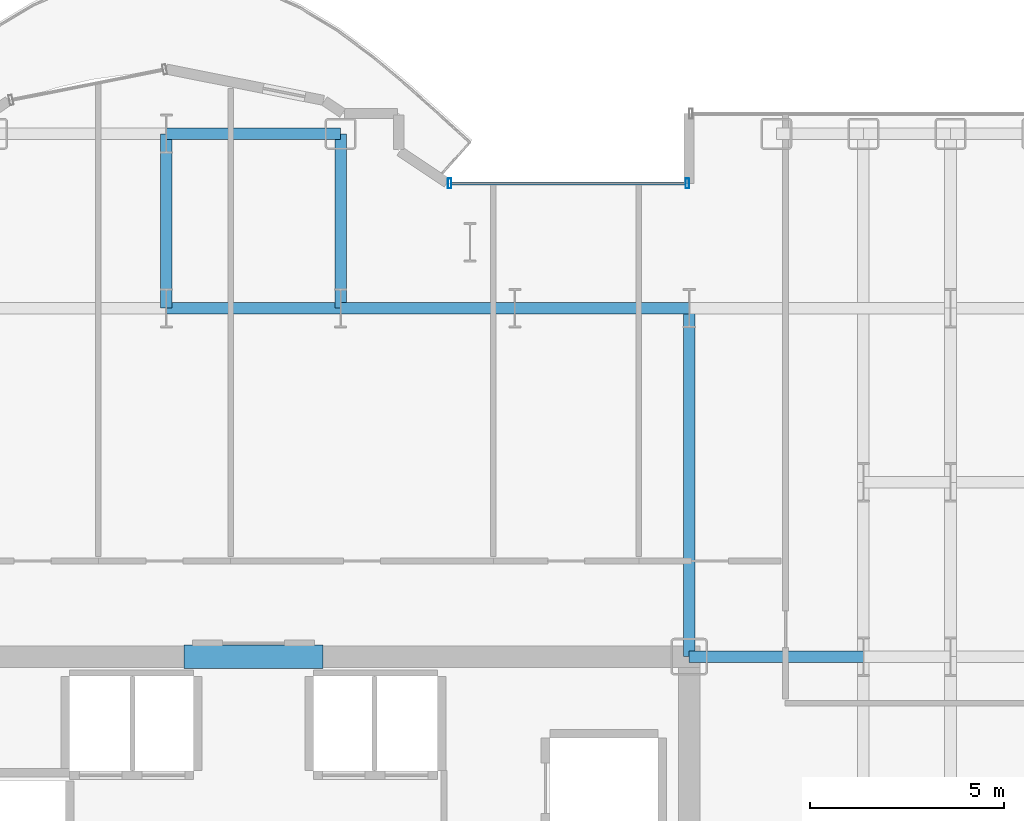
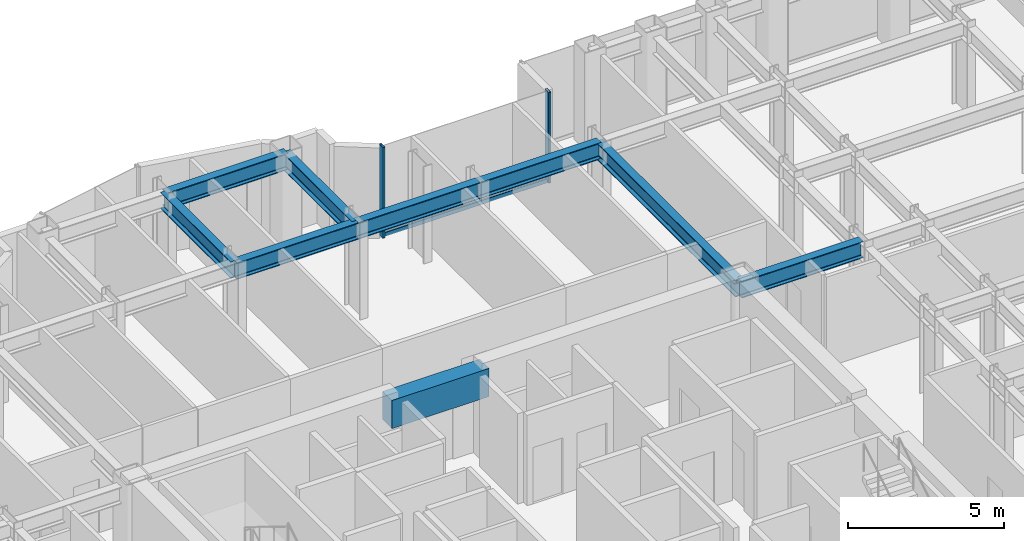
# One storey, part 14 of 29: 9 beams, 3 members, 1 element without a shape of its own.
"""IFC4 building model written with IfcOpenShell, lengths in metres."""

from ifc_helpers import new_model, si_unit, direction, frame, origin, origin_2d, place, context, subcontext, project, spatial, rectangle, hollow_rectangle, i_section, extrude, source, transform, mapped, material, layer, layer_set, material_profile, profile_set, type_object, element, aggregate, save


model = new_model("IFC4")

# Units and contexts
model_context = context("Model", 3, precision=1e-05, world=origin(), true_north=direction((0.0, 1.0)))
body_context = subcontext(model_context, "Body", "Model", "MODEL_VIEW")
ifc_project = project(units=[si_unit("LENGTHUNIT", "METRE"), si_unit("AREAUNIT", "SQUARE_METRE"), si_unit("VOLUMEUNIT", "CUBIC_METRE"), si_unit("PLANEANGLEUNIT", "RADIAN"), si_unit("MASSUNIT", "GRAM", prefix="KILO")], contexts=[model_context])

# Site, building, storey
site_placement = place(None, origin())
site = spatial("IfcSite", under=ifc_project, at=site_placement, CompositionType="ELEMENT")
building_placement = place(site_placement, origin())
building = spatial("IfcBuilding", under=site, at=building_placement, Name="Nefas-Gora Pilgrimage Tower", CompositionType="ELEMENT")
storey_placement = place(building_placement, frame((0.0, 0.0, 113.60009765625)))
storey = spatial("IfcBuildingStorey", under=building, at=storey_placement, Name="L27", CompositionType="ELEMENT", Elevation=113.60009765625)

# Beams
ifc_material_1 = material(Name="Concrete C60/75", Category="concrete")
ifc_material_profile_1 = material_profile(ifc_material_1, rectangle(XDim=0.60009765625, YDim=1.10009765625, at=origin_2d()), Name="RC 600x1100")
ifc_profile_set_1 = profile_set([ifc_material_profile_1], Name="Concrete C60/75")
beam_type_1 = type_object("IfcBeamType", Name="BM-LIN-RC1100", PredefinedType="LINTEL", material=ifc_profile_set_1)
shared_shape_1 = source(origin(), body_context, "Body", "SweptSolid", [
    extrude(rectangle(XDim=0.60009765625, YDim=1.10009765625, at=origin_2d()), origin(), (0.0, 0.0, 1.0), 3.60009765625),
])
beam_1_placement = place(storey_placement, frame((-1.800048828125, 9.0, 3.0), z_axis=(1.0, 0.0, 0.0), x_axis=(0.0, 1.0, 0.0)))
element("IfcBeam", 1, at=beam_1_placement, inside=storey, type_object=beam_type_1, Name="L27 Core Coupling Lintel Beam N", PredefinedType="LINTEL", context=body_context, shape_type="MappedRepresentation", body=[
    mapped(shared_shape_1, transform((0.0, 0.0, 0.0), x_axis=(1.0, 0.0, 0.0), y_axis=(0.0, 1.0, 0.0), z_axis=(0.0, 0.0, 1.0), scale=1.0)),
])
ifc_material_2 = material(Name="Steel S355", Category="steel")
ifc_material_profile_2 = material_profile(ifc_material_2, i_section(OverallWidth=0.300048828125, OverallDepth=0.64990234375, WebThickness=0.01611328125, FlangeThickness=0.031005859375, FilletRadius=0.027099609375, at=origin_2d()), Name="HEB 650")
ifc_profile_set_2 = profile_set([ifc_material_profile_2], Name="Steel S355")
beam_type_2 = type_object("IfcBeamType", Name="BM-GIR-HEB650", PredefinedType="BEAM", material=ifc_profile_set_2)
shared_shape_2 = source(origin(), body_context, "Body", "SweptSolid", [
    extrude(i_section(OverallWidth=0.300048828125, OverallDepth=0.64990234375, WebThickness=0.01611328125, FlangeThickness=0.031005859375, FilletRadius=0.027099609375, at=origin_2d()), origin(), (0.0, 0.0, 1.0), 9.0),
])
beam_2_placement = place(storey_placement, frame((11.25, 9.0, 3.224853515625), z_axis=(0.0, 1.0, 0.0), x_axis=(-1.0, 0.0, 0.0)))
element("IfcBeam", 2, at=beam_2_placement, inside=storey, type_object=beam_type_2, Name="L27 G-03 beam", PredefinedType="BEAM", context=body_context, shape_type="MappedRepresentation", body=[
    mapped(shared_shape_2, transform((0.0, 0.0, 0.0), x_axis=(1.0, 0.0, 0.0), y_axis=(0.0, 1.0, 0.0), z_axis=(0.0, 0.0, 1.0), scale=1.0)),
])
shared_shape_3 = source(origin(), body_context, "Body", "SweptSolid", [
    extrude(i_section(OverallWidth=0.300048828125, OverallDepth=0.64990234375, WebThickness=0.01611328125, FlangeThickness=0.031005859375, FilletRadius=0.027099609375, at=origin_2d()), origin(), (0.0, 0.0, 1.0), 4.5),
])
for number, where, z_axis, x_axis, name in (
    (3, (-2.25, 18.0, 3.224853515625), (0.0, 1.0, 0.0), (-1.0, 0.0, 0.0), "L27 G-03 beam"),
    (4, (-2.25, 18.0, 3.224853515625), (1.0, 0.0, 0.0), (0.0, 1.0, 0.0), "L27 G-03 beam"),
    (5, (-2.25, 22.5, 3.224853515625), (1.0, 0.0, 0.0), (0.0, 1.0, 0.0), "L27 G-03 beam"),
    (6, (2.25, 18.0, 3.224853515625), (0.0, 1.0, 0.0), (-1.0, 0.0, 0.0), "L27 G-03 beam"),
    (7, (2.25, 18.0, 3.224853515625), (1.0, 0.0, 0.0), (0.0, 1.0, 0.0), "L27 G-03 beam"),
    (8, (6.75, 18.0, 3.224853515625), (1.0, 0.0, 0.0), (0.0, 1.0, 0.0), "L27 G-03 beam"),
    (9, (11.25, 9.0, 3.224853515625), (1.0, 0.0, 0.0), (0.0, 1.0, 0.0), "L27 G-03 beam"),
):
    element("IfcBeam", number, at=place(storey_placement, frame(where, z_axis=z_axis, x_axis=x_axis)), inside=storey, type_object=beam_type_2, Name=name, PredefinedType="BEAM", context=body_context, shape_type="MappedRepresentation", body=[
        mapped(shared_shape_3, transform((0.0, 0.0, 0.0), x_axis=(1.0, 0.0, 0.0), y_axis=(0.0, 1.0, 0.0), z_axis=(0.0, 0.0, 1.0), scale=1.0)),
    ])

# Curtain wall, members
ifc_material_3 = material(Name="Dark ceramic-fritted solar-control aluminium-glass curtain wall", Category="aluminium")
ifc_layer = layer(ifc_material_3, 0.219970703125)
ifc_layer_set = layer_set([ifc_layer], Name="Dark ceramic-fritted solar-control aluminium-glass curtain wall")
curtain_wall_type = type_object("IfcCurtainWallType", Name="CW-SYS-5", PredefinedType="NOTDEFINED", material=ifc_layer_set)
curtain_wall_placement = place(storey_placement, origin())
curtain_wall = element("IfcCurtainWall", 10, at=curtain_wall_placement, inside=storey, type_object=curtain_wall_type, Name="L27 Unitised Curtain Wall CW5", PredefinedType="NOTDEFINED")
ifc_material_4 = material(Name="Anodised architectural aluminium", Category="aluminium")
ifc_material_profile_3 = material_profile(ifc_material_4, hollow_rectangle(XDim=0.080078125, YDim=0.159912109375, WallThickness=0.00439453125, InnerFilletRadius=0.00439453125, OuterFilletRadius=0.009033203125, at=origin_2d()), Name="ALU TRANSOM 80x160")
ifc_profile_set_3 = profile_set([ifc_material_profile_3], Name="Anodised architectural aluminium")
member_type_1 = type_object("IfcMemberType", Name="CWM-TRN-5", PredefinedType="USERDEFINED", material=ifc_profile_set_3)
shared_shape_4 = source(origin(), body_context, "Body", "SweptSolid", [
    extrude(hollow_rectangle(XDim=0.080078125, YDim=0.159912109375, WallThickness=0.00439453125, InnerFilletRadius=0.00439453125, OuterFilletRadius=0.009033203125, at=origin_2d()), origin(), (0.0, 0.0, 1.0), 6.052001953125),
])
member_1_placement = place(storey_placement, frame((11.159912109375, 21.219970703125, 0.0498046875), z_axis=(-1.0, 0.0, 0.0), x_axis=(0.0, -1.0, 0.0)))
member_1 = element("IfcMember", 11, at=member_1_placement, type_object=member_type_1, Name="CW5 Spandrel Transom", ObjectType="TRANSOM", PredefinedType="USERDEFINED", context=body_context, shape_type="MappedRepresentation", body=[
    mapped(shared_shape_4, transform((0.0, 0.0, 0.0), x_axis=(1.0, 0.0, 0.0), y_axis=(0.0, 1.0, 0.0), z_axis=(0.0, 0.0, 1.0), scale=1.0)),
])
ifc_material_profile_4 = material_profile(ifc_material_4, hollow_rectangle(XDim=0.090087890625, YDim=0.260009765625, WallThickness=0.006103515625, InnerFilletRadius=0.006103515625, OuterFilletRadius=0.011962890625, at=origin_2d()), Name="ALU MULLION 90x260")
ifc_profile_set_4 = profile_set([ifc_material_profile_4], Name="Anodised architectural aluminium")
member_type_2 = type_object("IfcMemberType", Name="CWM-MUL-5", PredefinedType="MULLION", material=ifc_profile_set_4)
shared_shape_5 = source(origin(), body_context, "Body", "SweptSolid", [
    extrude(hollow_rectangle(XDim=0.090087890625, YDim=0.260009765625, WallThickness=0.006103515625, InnerFilletRadius=0.006103515625, OuterFilletRadius=0.011962890625, at=origin_2d()), origin(), (0.0, 0.0, 1.0), 3.5498046875),
])
member_2_placement = place(storey_placement, frame((11.205078125, 21.219970703125, 0.0), z_axis=(0.0, 0.0, 1.0), x_axis=(-1.0, 0.0, 0.0)))
member_2 = element("IfcMember", 12, at=member_2_placement, type_object=member_type_2, Name="CW5 Mullion 1", PredefinedType="MULLION", context=body_context, shape_type="MappedRepresentation", body=[
    mapped(shared_shape_5, transform((0.0, 0.0, 0.0), x_axis=(1.0, 0.0, 0.0), y_axis=(0.0, 1.0, 0.0), z_axis=(0.0, 0.0, 1.0), scale=1.0)),
])
member_3_placement = place(storey_placement, frame((5.06298828125, 21.219970703125, 0.0), z_axis=(0.0, 0.0, 1.0), x_axis=(-1.0, 0.0, 0.0)))
member_3 = element("IfcMember", 13, at=member_3_placement, type_object=member_type_2, Name="CW5 Mullion 2", PredefinedType="MULLION", context=body_context, shape_type="MappedRepresentation", body=[
    mapped(shared_shape_5, transform((0.0, 0.0, 0.0), x_axis=(1.0, 0.0, 0.0), y_axis=(0.0, 1.0, 0.0), z_axis=(0.0, 0.0, 1.0), scale=1.0)),
])
aggregate(curtain_wall, [member_2, member_3, member_1])

save(model, "model.ifc")
